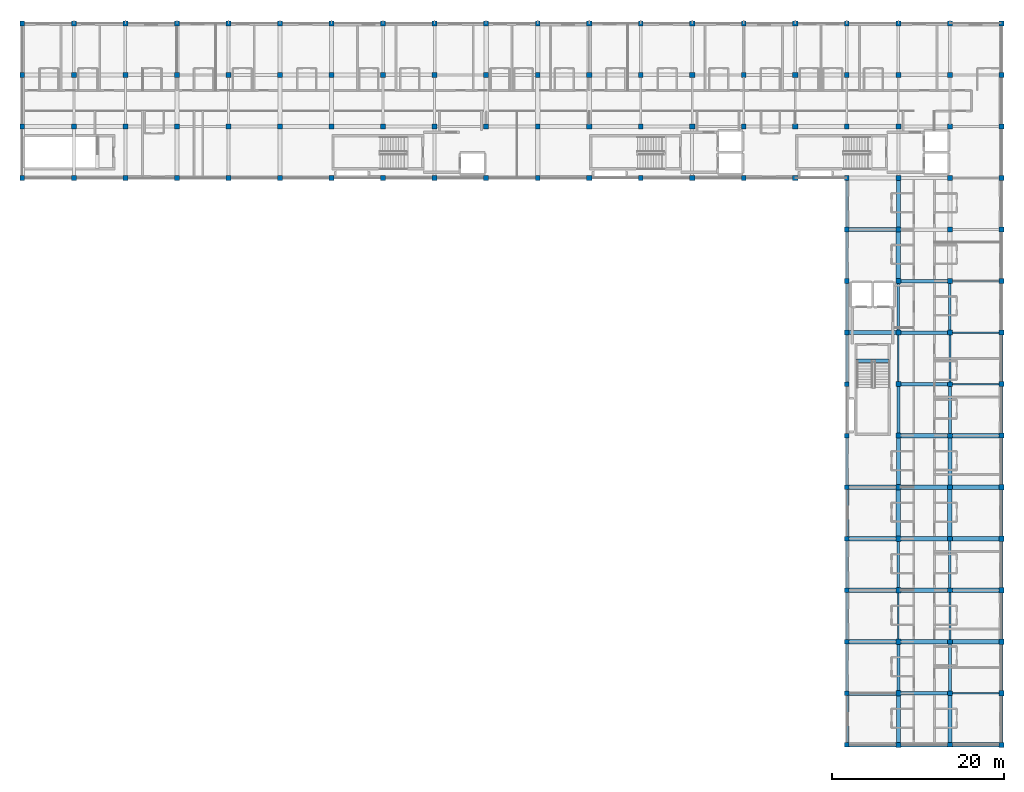
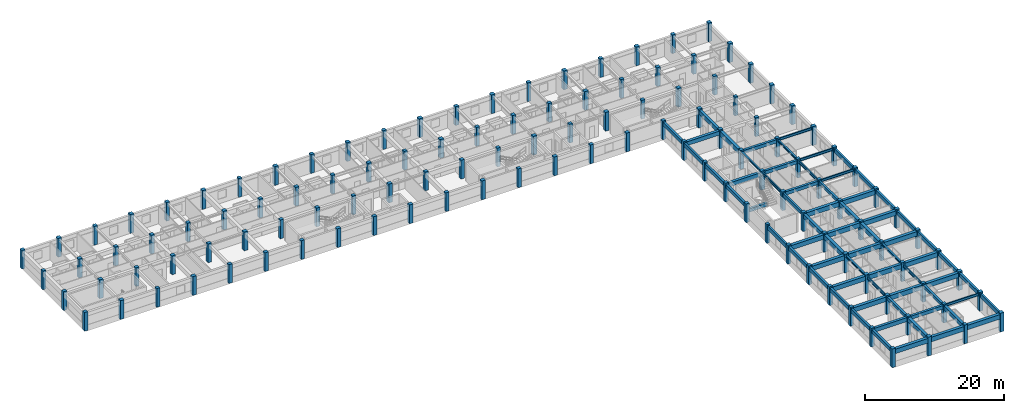
# One storey, part 1 of 21: 124 columns, 67 beams.
"""IFC4 building model written with IfcOpenShell, lengths in metres."""

from ifc_helpers import new_model, si_unit, direction, frame, origin, origin_2d, place, context, subcontext, project, spatial, rectangle, i_section, extrude, material, material_profile, profile_set, type_object, element, save


model = new_model("IFC4")

# Units and contexts
model_context = context("Model", 3, precision=1e-05, world=origin(), true_north=direction((0.0, 1.0)))
body_context = subcontext(model_context, "Body", "Model", "MODEL_VIEW")
ifc_project = project(units=[si_unit("LENGTHUNIT", "METRE"), si_unit("AREAUNIT", "SQUARE_METRE"), si_unit("VOLUMEUNIT", "CUBIC_METRE"), si_unit("PLANEANGLEUNIT", "RADIAN"), si_unit("MASSUNIT", "GRAM", prefix="KILO"), si_unit("THERMODYNAMICTEMPERATUREUNIT", "KELVIN"), si_unit("POWERUNIT", "WATT")], contexts=[model_context])

# Site, building, storey
site_placement = place(None, origin())
site = spatial("IfcSite", under=ifc_project, at=site_placement, CompositionType="ELEMENT")
building_placement = place(site_placement, origin())
building = spatial("IfcBuilding", under=site, at=building_placement, Name="Phaisarnlok Congress Hotel", CompositionType="ELEMENT")
storey_placement = place(building_placement, frame((0.0, 0.0, 34.800048828125)))
storey = spatial("IfcBuildingStorey", under=building, at=storey_placement, Name="L08", CompositionType="ELEMENT", Elevation=34.800048828125)

# Columns
ifc_material_1 = material(Name="Concrete C50/60", Category="concrete")
ifc_material_profile_1 = material_profile(ifc_material_1, rectangle(XDim=0.550048828125, YDim=0.550048828125, at=origin_2d()), Name="RC 550x550")
ifc_profile_set_1 = profile_set([ifc_material_profile_1], Name="Concrete C50/60")
column_type_1 = type_object("IfcColumnType", Name="COL-RC-550", PredefinedType="COLUMN", material=ifc_profile_set_1)
for number, where, z_axis, x_axis, name in (
    (1, (66.0, 108.0, 0.0), (0.0, 0.0, 1.0), (1.0, 0.0, 0.0), "Column C-02 (L08)"),
    (2, (66.0, 114.0, 0.0), (0.0, 0.0, 1.0), (1.0, 0.0, 0.0), "Column C-02 (L08)"),
    (3, (66.0, 120.0, 0.0), (0.0, 0.0, 1.0), (1.0, 0.0, 0.0), "Column C-02 (L08)"),
    (4, (78.0, 108.0, 0.0), (0.0, 0.0, 1.0), (1.0, 0.0, 0.0), "Column C-02 (L08)"),
    (5, (78.0, 114.0, 0.0), (0.0, 0.0, 1.0), (1.0, 0.0, 0.0), "Column C-02 (L08)"),
    (6, (78.0, 120.0, 0.0), (0.0, 0.0, 1.0), (1.0, 0.0, 0.0), "Column C-02 (L08)"),
    (7, (90.0, 108.0, 0.0), (0.0, 0.0, 1.0), (1.0, 0.0, 0.0), "Column C-02 (L08)"),
    (8, (90.0, 114.0, 0.0), (0.0, 0.0, 1.0), (1.0, 0.0, 0.0), "Column C-02 (L08)"),
    (9, (90.0, 120.0, 0.0), (0.0, 0.0, 1.0), (1.0, 0.0, 0.0), "Column C-02 (L08)"),
    (10, (102.0, 108.0, 0.0), (0.0, 0.0, 1.0), (1.0, 0.0, 0.0), "Column C-02 (L08)"),
    (11, (102.0, 114.0, 0.0), (0.0, 0.0, 1.0), (1.0, 0.0, 0.0), "Column C-02 (L08)"),
    (12, (102.0, 120.0, 0.0), (0.0, 0.0, 1.0), (1.0, 0.0, 0.0), "Column C-02 (L08)"),
    (13, (114.0, 108.0, 0.0), (0.0, 0.0, 1.0), (1.0, 0.0, 0.0), "Column C-02 (L08)"),
    (14, (114.0, 114.0, 0.0), (0.0, 0.0, 1.0), (1.0, 0.0, 0.0), "Column C-02 (L08)"),
    (15, (114.0, 120.0, 0.0), (0.0, 0.0, 1.0), (1.0, 0.0, 0.0), "Column C-02 (L08)"),
    (16, (126.0, 108.0, 0.0), (0.0, 0.0, 1.0), (1.0, 0.0, 0.0), "Column C-02 (L08)"),
    (17, (126.0, 114.0, 0.0), (0.0, 0.0, 1.0), (1.0, 0.0, 0.0), "Column C-02 (L08)"),
    (18, (126.0, 120.0, 0.0), (0.0, 0.0, 1.0), (1.0, 0.0, 0.0), "Column C-02 (L08)"),
    (19, (138.0, 108.0, 0.0), (0.0, 0.0, 1.0), (1.0, 0.0, 0.0), "Column C-02 (L08)"),
    (20, (138.0, 114.0, 0.0), (0.0, 0.0, 1.0), (1.0, 0.0, 0.0), "Column C-02 (L08)"),
    (21, (138.0, 120.0, 0.0), (0.0, 0.0, 1.0), (1.0, 0.0, 0.0), "Column C-02 (L08)"),
    (22, (150.0, 108.0, 0.0), (0.0, 0.0, 1.0), (1.0, 0.0, 0.0), "Column C-02 (L08)"),
    (23, (150.0, 114.0, 0.0), (0.0, 0.0, 1.0), (1.0, 0.0, 0.0), "Column C-02 (L08)"),
    (24, (150.0, 120.0, 0.0), (0.0, 0.0, 1.0), (1.0, 0.0, 0.0), "Column C-02 (L08)"),
    (25, (162.0, 42.0, 0.0), (0.0, 0.0, 1.0), (1.0, 0.0, 0.0), "Column C-02 (L08)"),
    (26, (162.0, 48.0, 0.0), (0.0, 0.0, 1.0), (1.0, 0.0, 0.0), "Column C-02 (L08)"),
    (27, (162.0, 54.0, 0.0), (0.0, 0.0, 1.0), (1.0, 0.0, 0.0), "Column C-02 (L08)"),
    (28, (162.0, 60.0, 0.0), (0.0, 0.0, 1.0), (1.0, 0.0, 0.0), "Column C-02 (L08)"),
    (29, (162.0, 66.0, 0.0), (0.0, 0.0, 1.0), (1.0, 0.0, 0.0), "Column C-02 (L08)"),
    (30, (162.0, 72.0, 0.0), (0.0, 0.0, 1.0), (1.0, 0.0, 0.0), "Column C-02 (L08)"),
    (31, (162.0, 78.0, 0.0), (0.0, 0.0, 1.0), (1.0, 0.0, 0.0), "Column C-02 (L08)"),
    (32, (162.0, 84.0, 0.0), (0.0, 0.0, 1.0), (1.0, 0.0, 0.0), "Column C-02 (L08)"),
    (33, (162.0, 90.0, 0.0), (0.0, 0.0, 1.0), (1.0, 0.0, 0.0), "Column C-02 (L08)"),
    (34, (162.0, 96.0, 0.0), (0.0, 0.0, 1.0), (1.0, 0.0, 0.0), "Column C-02 (L08)"),
    (35, (162.0, 102.0, 0.0), (0.0, 0.0, 1.0), (1.0, 0.0, 0.0), "Column C-02 (L08)"),
    (36, (162.0, 108.0, 0.0), (0.0, 0.0, 1.0), (1.0, 0.0, 0.0), "Column C-02 (L08)"),
    (37, (162.0, 114.0, 0.0), (0.0, 0.0, 1.0), (1.0, 0.0, 0.0), "Column C-02 (L08)"),
    (38, (162.0, 120.0, 0.0), (0.0, 0.0, 1.0), (1.0, 0.0, 0.0), "Column C-02 (L08)"),
    (39, (174.0, 42.0, 0.0), (0.0, 0.0, 1.0), (1.0, 0.0, 0.0), "Column C-02 (L08)"),
    (40, (174.0, 48.0, 0.0), (0.0, 0.0, 1.0), (1.0, 0.0, 0.0), "Column C-02 (L08)"),
    (41, (174.0, 54.0, 0.0), (0.0, 0.0, 1.0), (1.0, 0.0, 0.0), "Column C-02 (L08)"),
    (42, (174.0, 60.0, 0.0), (0.0, 0.0, 1.0), (1.0, 0.0, 0.0), "Column C-02 (L08)"),
    (43, (174.0, 66.0, 0.0), (0.0, 0.0, 1.0), (1.0, 0.0, 0.0), "Column C-02 (L08)"),
    (44, (174.0, 72.0, 0.0), (0.0, 0.0, 1.0), (1.0, 0.0, 0.0), "Column C-02 (L08)"),
    (45, (174.0, 78.0, 0.0), (0.0, 0.0, 1.0), (1.0, 0.0, 0.0), "Column C-02 (L08)"),
    (46, (174.0, 84.0, 0.0), (0.0, 0.0, 1.0), (1.0, 0.0, 0.0), "Column C-02 (L08)"),
    (47, (174.0, 90.0, 0.0), (0.0, 0.0, 1.0), (1.0, 0.0, 0.0), "Column C-02 (L08)"),
    (48, (174.0, 96.0, 0.0), (0.0, 0.0, 1.0), (1.0, 0.0, 0.0), "Column C-02 (L08)"),
    (49, (174.0, 102.0, 0.0), (0.0, 0.0, 1.0), (1.0, 0.0, 0.0), "Column C-02 (L08)"),
    (50, (174.0, 108.0, 0.0), (0.0, 0.0, 1.0), (1.0, 0.0, 0.0), "Column C-02 (L08)"),
    (51, (174.0, 114.0, 0.0), (0.0, 0.0, 1.0), (1.0, 0.0, 0.0), "Column C-02 (L08)"),
    (52, (174.0, 120.0, 0.0), (0.0, 0.0, 1.0), (1.0, 0.0, 0.0), "Column C-02 (L08)"),
):
    element("IfcColumn", number, at=place(storey_placement, frame(where, z_axis=z_axis, x_axis=x_axis)), inside=storey, type_object=column_type_1, Name=name, PredefinedType="COLUMN", context=body_context, shape_type="SweptSolid", body=[
        extrude(rectangle(XDim=0.550048828125, YDim=0.550048828125, at=origin_2d()), origin(), (0.0, 0.0, 1.0), 3.300048828125),
    ])
ifc_material_profile_2 = material_profile(ifc_material_1, rectangle(XDim=0.550048828125, YDim=0.550048828125, at=origin_2d()), Name="RC 550x550")
ifc_profile_set_2 = profile_set([ifc_material_profile_2], Name="Concrete C50/60")
column_type_2 = type_object("IfcColumnType", Name="COL-RC-550-EXT", PredefinedType="COLUMN", material=ifc_profile_set_2)
for number, where, z_axis, x_axis, name in (
    (53, (66.0, 126.0, 0.0), (0.0, 0.0, 1.0), (1.0, 0.0, 0.0), "Column C-02E (L08)"),
    (54, (78.0, 126.0, 0.0), (0.0, 0.0, 1.0), (1.0, 0.0, 0.0), "Column C-02E (L08)"),
    (55, (90.0, 126.0, 0.0), (0.0, 0.0, 1.0), (1.0, 0.0, 0.0), "Column C-02E (L08)"),
    (56, (102.0, 126.0, 0.0), (0.0, 0.0, 1.0), (1.0, 0.0, 0.0), "Column C-02E (L08)"),
    (57, (114.0, 126.0, 0.0), (0.0, 0.0, 1.0), (1.0, 0.0, 0.0), "Column C-02E (L08)"),
    (58, (126.0, 126.0, 0.0), (0.0, 0.0, 1.0), (1.0, 0.0, 0.0), "Column C-02E (L08)"),
    (59, (138.0, 126.0, 0.0), (0.0, 0.0, 1.0), (1.0, 0.0, 0.0), "Column C-02E (L08)"),
    (60, (150.0, 126.0, 0.0), (0.0, 0.0, 1.0), (1.0, 0.0, 0.0), "Column C-02E (L08)"),
    (61, (162.0, 126.0, 0.0), (0.0, 0.0, 1.0), (1.0, 0.0, 0.0), "Column C-02E (L08)"),
    (62, (174.0, 126.0, 0.0), (0.0, 0.0, 1.0), (1.0, 0.0, 0.0), "Column C-02E (L08)"),
):
    element("IfcColumn", number, at=place(storey_placement, frame(where, z_axis=z_axis, x_axis=x_axis)), inside=storey, type_object=column_type_2, Name=name, PredefinedType="COLUMN", context=body_context, shape_type="SweptSolid", body=[
        extrude(rectangle(XDim=0.550048828125, YDim=0.550048828125, at=origin_2d()), origin(), (0.0, 0.0, 1.0), 3.300048828125),
    ])
ifc_material_profile_3 = material_profile(ifc_material_1, rectangle(XDim=0.60009765625, YDim=0.60009765625, at=origin_2d()), Name="RC 600x600")
ifc_profile_set_3 = profile_set([ifc_material_profile_3], Name="Concrete C50/60")
column_type_3 = type_object("IfcColumnType", Name="COL-RC-600", PredefinedType="COLUMN", material=ifc_profile_set_3)
for number, where, z_axis, x_axis, name in (
    (63, (72.0, 108.0, 0.0), (0.0, 0.0, 1.0), (1.0, 0.0, 0.0), "Column C-03 (L08)"),
    (64, (72.0, 114.0, 0.0), (0.0, 0.0, 1.0), (1.0, 0.0, 0.0), "Column C-03 (L08)"),
    (65, (72.0, 120.0, 0.0), (0.0, 0.0, 1.0), (1.0, 0.0, 0.0), "Column C-03 (L08)"),
    (66, (84.0, 108.0, 0.0), (0.0, 0.0, 1.0), (1.0, 0.0, 0.0), "Column C-03 (L08)"),
    (67, (84.0, 114.0, 0.0), (0.0, 0.0, 1.0), (1.0, 0.0, 0.0), "Column C-03 (L08)"),
    (68, (84.0, 120.0, 0.0), (0.0, 0.0, 1.0), (1.0, 0.0, 0.0), "Column C-03 (L08)"),
    (69, (96.0, 108.0, 0.0), (0.0, 0.0, 1.0), (1.0, 0.0, 0.0), "Column C-03 (L08)"),
    (70, (96.0, 114.0, 0.0), (0.0, 0.0, 1.0), (1.0, 0.0, 0.0), "Column C-03 (L08)"),
    (71, (96.0, 120.0, 0.0), (0.0, 0.0, 1.0), (1.0, 0.0, 0.0), "Column C-03 (L08)"),
    (72, (108.0, 108.0, 0.0), (0.0, 0.0, 1.0), (1.0, 0.0, 0.0), "Column C-03 (L08)"),
    (73, (108.0, 114.0, 0.0), (0.0, 0.0, 1.0), (1.0, 0.0, 0.0), "Column C-03 (L08)"),
    (74, (108.0, 120.0, 0.0), (0.0, 0.0, 1.0), (1.0, 0.0, 0.0), "Column C-03 (L08)"),
    (75, (120.0, 108.0, 0.0), (0.0, 0.0, 1.0), (1.0, 0.0, 0.0), "Column C-03 (L08)"),
    (76, (120.0, 114.0, 0.0), (0.0, 0.0, 1.0), (1.0, 0.0, 0.0), "Column C-03 (L08)"),
    (77, (120.0, 120.0, 0.0), (0.0, 0.0, 1.0), (1.0, 0.0, 0.0), "Column C-03 (L08)"),
    (78, (132.0, 108.0, 0.0), (0.0, 0.0, 1.0), (1.0, 0.0, 0.0), "Column C-03 (L08)"),
    (79, (132.0, 114.0, 0.0), (0.0, 0.0, 1.0), (1.0, 0.0, 0.0), "Column C-03 (L08)"),
    (80, (132.0, 120.0, 0.0), (0.0, 0.0, 1.0), (1.0, 0.0, 0.0), "Column C-03 (L08)"),
    (81, (144.0, 108.0, 0.0), (0.0, 0.0, 1.0), (1.0, 0.0, 0.0), "Column C-03 (L08)"),
    (82, (144.0, 114.0, 0.0), (0.0, 0.0, 1.0), (1.0, 0.0, 0.0), "Column C-03 (L08)"),
    (83, (144.0, 120.0, 0.0), (0.0, 0.0, 1.0), (1.0, 0.0, 0.0), "Column C-03 (L08)"),
    (84, (156.0, 108.0, 0.0), (0.0, 0.0, 1.0), (1.0, 0.0, 0.0), "Column C-03 (L08)"),
    (85, (156.0, 114.0, 0.0), (0.0, 0.0, 1.0), (1.0, 0.0, 0.0), "Column C-03 (L08)"),
    (86, (156.0, 120.0, 0.0), (0.0, 0.0, 1.0), (1.0, 0.0, 0.0), "Column C-03 (L08)"),
    (87, (168.0, 42.0, 0.0), (0.0, 0.0, 1.0), (1.0, 0.0, 0.0), "Column C-03 (L08)"),
    (88, (168.0, 48.0, 0.0), (0.0, 0.0, 1.0), (1.0, 0.0, 0.0), "Column C-03 (L08)"),
    (89, (168.0, 54.0, 0.0), (0.0, 0.0, 1.0), (1.0, 0.0, 0.0), "Column C-03 (L08)"),
    (90, (168.0, 60.0, 0.0), (0.0, 0.0, 1.0), (1.0, 0.0, 0.0), "Column C-03 (L08)"),
    (91, (168.0, 66.0, 0.0), (0.0, 0.0, 1.0), (1.0, 0.0, 0.0), "Column C-03 (L08)"),
    (92, (168.0, 72.0, 0.0), (0.0, 0.0, 1.0), (1.0, 0.0, 0.0), "Column C-03 (L08)"),
    (93, (168.0, 78.0, 0.0), (0.0, 0.0, 1.0), (1.0, 0.0, 0.0), "Column C-03 (L08)"),
    (94, (168.0, 84.0, 0.0), (0.0, 0.0, 1.0), (1.0, 0.0, 0.0), "Column C-03 (L08)"),
    (95, (168.0, 90.0, 0.0), (0.0, 0.0, 1.0), (1.0, 0.0, 0.0), "Column C-03 (L08)"),
    (96, (168.0, 96.0, 0.0), (0.0, 0.0, 1.0), (1.0, 0.0, 0.0), "Column C-03 (L08)"),
    (97, (168.0, 102.0, 0.0), (0.0, 0.0, 1.0), (1.0, 0.0, 0.0), "Column C-03 (L08)"),
    (98, (168.0, 108.0, 0.0), (0.0, 0.0, 1.0), (1.0, 0.0, 0.0), "Column C-03 (L08)"),
    (99, (168.0, 114.0, 0.0), (0.0, 0.0, 1.0), (1.0, 0.0, 0.0), "Column C-03 (L08)"),
    (100, (168.0, 120.0, 0.0), (0.0, 0.0, 1.0), (1.0, 0.0, 0.0), "Column C-03 (L08)"),
):
    element("IfcColumn", number, at=place(storey_placement, frame(where, z_axis=z_axis, x_axis=x_axis)), inside=storey, type_object=column_type_3, Name=name, PredefinedType="COLUMN", context=body_context, shape_type="SweptSolid", body=[
        extrude(rectangle(XDim=0.60009765625, YDim=0.60009765625, at=origin_2d()), origin(), (0.0, 0.0, 1.0), 3.300048828125),
    ])
ifc_material_profile_4 = material_profile(ifc_material_1, rectangle(XDim=0.60009765625, YDim=0.60009765625, at=origin_2d()), Name="RC 600x600")
ifc_profile_set_4 = profile_set([ifc_material_profile_4], Name="Concrete C50/60")
column_type_4 = type_object("IfcColumnType", Name="COL-RC-600-EXT", PredefinedType="COLUMN", material=ifc_profile_set_4)
for number, where, z_axis, x_axis, name in (
    (101, (72.0, 126.0, 0.0), (0.0, 0.0, 1.0), (1.0, 0.0, 0.0), "Column C-03E (L08)"),
    (102, (84.0, 126.0, 0.0), (0.0, 0.0, 1.0), (1.0, 0.0, 0.0), "Column C-03E (L08)"),
    (103, (96.0, 126.0, 0.0), (0.0, 0.0, 1.0), (1.0, 0.0, 0.0), "Column C-03E (L08)"),
    (104, (108.0, 126.0, 0.0), (0.0, 0.0, 1.0), (1.0, 0.0, 0.0), "Column C-03E (L08)"),
    (105, (120.0, 126.0, 0.0), (0.0, 0.0, 1.0), (1.0, 0.0, 0.0), "Column C-03E (L08)"),
    (106, (132.0, 126.0, 0.0), (0.0, 0.0, 1.0), (1.0, 0.0, 0.0), "Column C-03E (L08)"),
    (107, (144.0, 126.0, 0.0), (0.0, 0.0, 1.0), (1.0, 0.0, 0.0), "Column C-03E (L08)"),
    (108, (156.0, 126.0, 0.0), (0.0, 0.0, 1.0), (1.0, 0.0, 0.0), "Column C-03E (L08)"),
    (109, (168.0, 126.0, 0.0), (0.0, 0.0, 1.0), (1.0, 0.0, 0.0), "Column C-03E (L08)"),
    (110, (180.0, 42.0, 0.0), (0.0, 0.0, 1.0), (1.0, 0.0, 0.0), "Column C-03E (L08)"),
    (111, (180.0, 48.0, 0.0), (0.0, 0.0, 1.0), (1.0, 0.0, 0.0), "Column C-03E (L08)"),
    (112, (180.0, 54.0, 0.0), (0.0, 0.0, 1.0), (1.0, 0.0, 0.0), "Column C-03E (L08)"),
    (113, (180.0, 60.0, 0.0), (0.0, 0.0, 1.0), (1.0, 0.0, 0.0), "Column C-03E (L08)"),
    (114, (180.0, 66.0, 0.0), (0.0, 0.0, 1.0), (1.0, 0.0, 0.0), "Column C-03E (L08)"),
    (115, (180.0, 72.0, 0.0), (0.0, 0.0, 1.0), (1.0, 0.0, 0.0), "Column C-03E (L08)"),
    (116, (180.0, 78.0, 0.0), (0.0, 0.0, 1.0), (1.0, 0.0, 0.0), "Column C-03E (L08)"),
    (117, (180.0, 84.0, 0.0), (0.0, 0.0, 1.0), (1.0, 0.0, 0.0), "Column C-03E (L08)"),
    (118, (180.0, 90.0, 0.0), (0.0, 0.0, 1.0), (1.0, 0.0, 0.0), "Column C-03E (L08)"),
    (119, (180.0, 96.0, 0.0), (0.0, 0.0, 1.0), (1.0, 0.0, 0.0), "Column C-03E (L08)"),
    (120, (180.0, 102.0, 0.0), (0.0, 0.0, 1.0), (1.0, 0.0, 0.0), "Column C-03E (L08)"),
    (121, (180.0, 108.0, 0.0), (0.0, 0.0, 1.0), (1.0, 0.0, 0.0), "Column C-03E (L08)"),
    (122, (180.0, 114.0, 0.0), (0.0, 0.0, 1.0), (1.0, 0.0, 0.0), "Column C-03E (L08)"),
    (123, (180.0, 120.0, 0.0), (0.0, 0.0, 1.0), (1.0, 0.0, 0.0), "Column C-03E (L08)"),
    (124, (180.0, 126.0, 0.0), (0.0, 0.0, 1.0), (1.0, 0.0, 0.0), "Column C-03E (L08)"),
):
    element("IfcColumn", number, at=place(storey_placement, frame(where, z_axis=z_axis, x_axis=x_axis)), inside=storey, type_object=column_type_4, Name=name, PredefinedType="COLUMN", context=body_context, shape_type="SweptSolid", body=[
        extrude(rectangle(XDim=0.60009765625, YDim=0.60009765625, at=origin_2d()), origin(), (0.0, 0.0, 1.0), 3.300048828125),
    ])

# Beams
ifc_material_2 = material(Name="Concrete C40/50", Category="concrete")
ifc_material_profile_5 = material_profile(ifc_material_2, rectangle(XDim=0.35009765625, YDim=0.550048828125, at=origin_2d()), Name="RC 350x550")
ifc_profile_set_5 = profile_set([ifc_material_profile_5], Name="Concrete C40/50")
beam_type_1 = type_object("IfcBeamType", Name="BM-RC-350x550", PredefinedType="BEAM", material=ifc_profile_set_5)
for number, where, z_axis, x_axis, name in (
    (125, (168.0, 48.294921875, 2.794921875), (0.0, 1.0, 0.0), (-1.0, 0.0, 0.0), "Beam B-01"),
    (126, (168.0, 78.294921875, 2.794921875), (0.0, 1.0, 0.0), (-1.0, 0.0, 0.0), "Beam B-01"),
):
    element("IfcBeam", number, at=place(storey_placement, frame(where, z_axis=z_axis, x_axis=x_axis)), inside=storey, type_object=beam_type_1, Name=name, PredefinedType="BEAM", context=body_context, shape_type="SweptSolid", body=[
        extrude(rectangle(XDim=0.35009765625, YDim=0.550048828125, at=origin_2d()), origin(), (0.0, 0.0, 1.0), 5.41015625),
    ])
for number, where, z_axis, x_axis, name in (
    (127, (174.0, 48.27001953125, 2.794921875), (0.0, 1.0, 0.0), (-1.0, 0.0, 0.0), "Beam B-01"),
    (128, (174.0, 78.27001953125, 2.794921875), (0.0, 1.0, 0.0), (-1.0, 0.0, 0.0), "Beam B-01"),
):
    element("IfcBeam", number, at=place(storey_placement, frame(where, z_axis=z_axis, x_axis=x_axis)), inside=storey, type_object=beam_type_1, Name=name, PredefinedType="BEAM", context=body_context, shape_type="SweptSolid", body=[
        extrude(rectangle(XDim=0.35009765625, YDim=0.550048828125, at=origin_2d()), origin(), (0.0, 0.0, 1.0), 5.4599609375),
    ])
ifc_material_profile_6 = material_profile(ifc_material_2, rectangle(XDim=0.39990234375, YDim=0.60009765625, at=origin_2d()), Name="RC 400x600")
ifc_profile_set_6 = profile_set([ifc_material_profile_6], Name="Concrete C40/50")
beam_type_2 = type_object("IfcBeamType", Name="BM-RC-400x600", PredefinedType="BEAM", material=ifc_profile_set_6)
for number, where, z_axis, x_axis, name in (
    (129, (168.294921875, 48.0, 2.77001953125), (1.0, 0.0, 0.0), (0.0, 1.0, 0.0), "Beam B-02"),
    (130, (168.294921875, 84.0, 2.77001953125), (1.0, 0.0, 0.0), (0.0, 1.0, 0.0), "Beam B-02"),
    (131, (168.294921875, 90.0, 2.77001953125), (1.0, 0.0, 0.0), (0.0, 1.0, 0.0), "Beam B-02"),
    (132, (168.294921875, 96.0, 2.77001953125), (1.0, 0.0, 0.0), (0.0, 1.0, 0.0), "Beam B-02"),
):
    element("IfcBeam", number, at=place(storey_placement, frame(where, z_axis=z_axis, x_axis=x_axis)), inside=storey, type_object=beam_type_2, Name=name, PredefinedType="BEAM", context=body_context, shape_type="SweptSolid", body=[
        extrude(rectangle(XDim=0.39990234375, YDim=0.60009765625, at=origin_2d()), origin(), (0.0, 0.0, 1.0), 5.43505859375),
    ])
beam_1_placement = place(storey_placement, frame((163.080078125, 86.719970703125, -0.300048828125), z_axis=(1.0, 0.0, 0.0), x_axis=(0.0, 1.0, 0.0)))
element("IfcBeam", 133, at=beam_1_placement, inside=storey, type_object=beam_type_2, Name="Stair landing header beam B-02 (CORE-3 L08)", PredefinedType="BEAM", context=body_context, shape_type="SweptSolid", body=[
    extrude(rectangle(XDim=0.39990234375, YDim=0.60009765625, at=origin_2d()), origin(), (0.0, 0.0, 1.0), 3.83984375),
])
ifc_material_profile_7 = material_profile(ifc_material_2, rectangle(XDim=0.449951171875, YDim=0.699951171875, at=origin_2d()), Name="RC 450x700")
ifc_profile_set_7 = profile_set([ifc_material_profile_7], Name="Concrete C40/50")
beam_type_3 = type_object("IfcBeamType", Name="BM-RC-450x700", PredefinedType="BEAM", material=ifc_profile_set_7)
for number, where, z_axis, x_axis, name in (
    (134, (162.27001953125, 48.0, 2.719970703125), (1.0, 0.0, 0.0), (0.0, 1.0, 0.0), "Beam B-03"),
    (135, (162.27001953125, 90.0, 2.719970703125), (1.0, 0.0, 0.0), (0.0, 1.0, 0.0), "Beam B-03"),
    (136, (162.27001953125, 102.0, 2.719970703125), (1.0, 0.0, 0.0), (0.0, 1.0, 0.0), "Beam B-03"),
):
    element("IfcBeam", number, at=place(storey_placement, frame(where, z_axis=z_axis, x_axis=x_axis)), inside=storey, type_object=beam_type_3, Name=name, PredefinedType="BEAM", context=body_context, shape_type="SweptSolid", body=[
        extrude(rectangle(XDim=0.449951171875, YDim=0.699951171875, at=origin_2d()), origin(), (0.0, 0.0, 1.0), 5.43505859375),
    ])
for number, where, z_axis, x_axis, name in (
    (137, (168.0, 42.294921875, 2.719970703125), (0.0, 1.0, 0.0), (-1.0, 0.0, 0.0), "Beam B-03"),
    (138, (168.0, 72.294921875, 2.719970703125), (0.0, 1.0, 0.0), (-1.0, 0.0, 0.0), "Beam B-03"),
    (139, (168.0, 102.294921875, 2.719970703125), (0.0, 1.0, 0.0), (-1.0, 0.0, 0.0), "Beam B-03"),
):
    element("IfcBeam", number, at=place(storey_placement, frame(where, z_axis=z_axis, x_axis=x_axis)), inside=storey, type_object=beam_type_3, Name=name, PredefinedType="BEAM", context=body_context, shape_type="SweptSolid", body=[
        extrude(rectangle(XDim=0.449951171875, YDim=0.699951171875, at=origin_2d()), origin(), (0.0, 0.0, 1.0), 5.41015625),
    ])
for number, where, z_axis, x_axis, name in (
    (140, (174.0, 42.27001953125, 2.719970703125), (0.0, 1.0, 0.0), (-1.0, 0.0, 0.0), "Beam B-03"),
    (141, (174.0, 72.27001953125, 2.719970703125), (0.0, 1.0, 0.0), (-1.0, 0.0, 0.0), "Beam B-03"),
):
    element("IfcBeam", number, at=place(storey_placement, frame(where, z_axis=z_axis, x_axis=x_axis)), inside=storey, type_object=beam_type_3, Name=name, PredefinedType="BEAM", context=body_context, shape_type="SweptSolid", body=[
        extrude(rectangle(XDim=0.449951171875, YDim=0.699951171875, at=origin_2d()), origin(), (0.0, 0.0, 1.0), 5.4599609375),
    ])
ifc_material_profile_8 = material_profile(ifc_material_2, rectangle(XDim=0.5, YDim=0.800048828125, at=origin_2d()), Name="RC 500x800")
ifc_profile_set_8 = profile_set([ifc_material_profile_8], Name="Concrete C40/50")
beam_type_4 = type_object("IfcBeamType", Name="BM-RC-500x800", PredefinedType="BEAM", material=ifc_profile_set_8)
for number, where, z_axis, x_axis, name in (
    (142, (162.27001953125, 54.0, 2.669921875), (1.0, 0.0, 0.0), (0.0, 1.0, 0.0), "Beam B-04"),
    (143, (162.27001953125, 60.0, 2.669921875), (1.0, 0.0, 0.0), (0.0, 1.0, 0.0), "Beam B-04"),
    (144, (162.27001953125, 66.0, 2.669921875), (1.0, 0.0, 0.0), (0.0, 1.0, 0.0), "Beam B-04"),
    (145, (162.27001953125, 72.0, 2.669921875), (1.0, 0.0, 0.0), (0.0, 1.0, 0.0), "Beam B-04"),
    (146, (168.294921875, 54.0, 2.669921875), (1.0, 0.0, 0.0), (0.0, 1.0, 0.0), "Beam B-04"),
    (147, (168.294921875, 60.0, 2.669921875), (1.0, 0.0, 0.0), (0.0, 1.0, 0.0), "Beam B-04"),
    (148, (168.294921875, 66.0, 2.669921875), (1.0, 0.0, 0.0), (0.0, 1.0, 0.0), "Beam B-04"),
):
    element("IfcBeam", number, at=place(storey_placement, frame(where, z_axis=z_axis, x_axis=x_axis)), inside=storey, type_object=beam_type_4, Name=name, PredefinedType="BEAM", context=body_context, shape_type="SweptSolid", body=[
        extrude(rectangle(XDim=0.5, YDim=0.800048828125, at=origin_2d()), origin(), (0.0, 0.0, 1.0), 5.43505859375),
    ])
beam_2_placement = place(storey_placement, frame((168.0, 66.294921875, 2.669921875), z_axis=(0.0, 1.0, 0.0), x_axis=(-1.0, 0.0, 0.0)))
element("IfcBeam", 149, at=beam_2_placement, inside=storey, type_object=beam_type_4, Name="Beam B-04", PredefinedType="BEAM", context=body_context, shape_type="SweptSolid", body=[
    extrude(rectangle(XDim=0.5, YDim=0.800048828125, at=origin_2d()), origin(), (0.0, 0.0, 1.0), 5.41015625),
])
for number, where, z_axis, x_axis, name in (
    (150, (168.294921875, 72.0, 2.669921875), (1.0, 0.0, 0.0), (0.0, 1.0, 0.0), "Beam B-04"),
    (151, (168.294921875, 78.0, 2.669921875), (1.0, 0.0, 0.0), (0.0, 1.0, 0.0), "Beam B-04"),
):
    element("IfcBeam", number, at=place(storey_placement, frame(where, z_axis=z_axis, x_axis=x_axis)), inside=storey, type_object=beam_type_4, Name=name, PredefinedType="BEAM", context=body_context, shape_type="SweptSolid", body=[
        extrude(rectangle(XDim=0.5, YDim=0.800048828125, at=origin_2d()), origin(), (0.0, 0.0, 1.0), 5.43505859375),
    ])
beam_3_placement = place(storey_placement, frame((168.0, 96.294921875, 2.669921875), z_axis=(0.0, 1.0, 0.0), x_axis=(-1.0, 0.0, 0.0)))
element("IfcBeam", 152, at=beam_3_placement, inside=storey, type_object=beam_type_4, Name="Beam B-04", PredefinedType="BEAM", context=body_context, shape_type="SweptSolid", body=[
    extrude(rectangle(XDim=0.5, YDim=0.800048828125, at=origin_2d()), origin(), (0.0, 0.0, 1.0), 5.41015625),
])
for number, where, z_axis, x_axis, name in (
    (153, (174.27001953125, 54.0, 2.669921875), (1.0, 0.0, 0.0), (0.0, 1.0, 0.0), "Beam B-04"),
    (154, (174.27001953125, 60.0, 2.669921875), (1.0, 0.0, 0.0), (0.0, 1.0, 0.0), "Beam B-04"),
    (155, (174.27001953125, 66.0, 2.669921875), (1.0, 0.0, 0.0), (0.0, 1.0, 0.0), "Beam B-04"),
):
    element("IfcBeam", number, at=place(storey_placement, frame(where, z_axis=z_axis, x_axis=x_axis)), inside=storey, type_object=beam_type_4, Name=name, PredefinedType="BEAM", context=body_context, shape_type="SweptSolid", body=[
        extrude(rectangle(XDim=0.5, YDim=0.800048828125, at=origin_2d()), origin(), (0.0, 0.0, 1.0), 5.43505859375),
    ])
beam_4_placement = place(storey_placement, frame((174.0, 66.27001953125, 2.669921875), z_axis=(0.0, 1.0, 0.0), x_axis=(-1.0, 0.0, 0.0)))
element("IfcBeam", 156, at=beam_4_placement, inside=storey, type_object=beam_type_4, Name="Beam B-04", PredefinedType="BEAM", context=body_context, shape_type="SweptSolid", body=[
    extrude(rectangle(XDim=0.5, YDim=0.800048828125, at=origin_2d()), origin(), (0.0, 0.0, 1.0), 5.4599609375),
])
for number, where, z_axis, x_axis, name in (
    (157, (174.27001953125, 72.0, 2.669921875), (1.0, 0.0, 0.0), (0.0, 1.0, 0.0), "Beam B-04"),
    (158, (174.27001953125, 78.0, 2.669921875), (1.0, 0.0, 0.0), (0.0, 1.0, 0.0), "Beam B-04"),
):
    element("IfcBeam", number, at=place(storey_placement, frame(where, z_axis=z_axis, x_axis=x_axis)), inside=storey, type_object=beam_type_4, Name=name, PredefinedType="BEAM", context=body_context, shape_type="SweptSolid", body=[
        extrude(rectangle(XDim=0.5, YDim=0.800048828125, at=origin_2d()), origin(), (0.0, 0.0, 1.0), 5.43505859375),
    ])
ifc_material_3 = material(Name="Steel S355", Category="steel")
ifc_material_profile_9 = material_profile(ifc_material_3, i_section(OverallWidth=0.300048828125, OverallDepth=0.340087890625, WebThickness=0.011962890625, FlangeThickness=0.021484375, FilletRadius=0.027099609375, at=origin_2d()), Name="HEB 340")
ifc_profile_set_9 = profile_set([ifc_material_profile_9], Name="Steel S355")
beam_type_5 = type_object("IfcBeamType", Name="BM-STL-HEB340", PredefinedType="BEAM", material=ifc_profile_set_9)
for number, where, z_axis, x_axis, name in (
    (159, (168.0, 60.294921875, 2.89990234375), (0.0, 1.0, 0.0), (-1.0, 0.0, 0.0), "Beam SB-07"),
    (160, (168.0, 90.294921875, 2.89990234375), (0.0, 1.0, 0.0), (-1.0, 0.0, 0.0), "Beam SB-07"),
):
    element("IfcBeam", number, at=place(storey_placement, frame(where, z_axis=z_axis, x_axis=x_axis)), inside=storey, type_object=beam_type_5, Name=name, PredefinedType="BEAM", context=body_context, shape_type="SweptSolid", body=[
        extrude(i_section(OverallWidth=0.300048828125, OverallDepth=0.340087890625, WebThickness=0.011962890625, FlangeThickness=0.021484375, FilletRadius=0.027099609375, at=origin_2d()), origin(), (0.0, 0.0, 1.0), 5.41015625),
    ])
for number, where, z_axis, x_axis, name in (
    (161, (174.0, 60.27001953125, 2.89990234375), (0.0, 1.0, 0.0), (-1.0, 0.0, 0.0), "Beam SB-07"),
    (162, (174.0, 90.27001953125, 2.89990234375), (0.0, 1.0, 0.0), (-1.0, 0.0, 0.0), "Beam SB-07"),
):
    element("IfcBeam", number, at=place(storey_placement, frame(where, z_axis=z_axis, x_axis=x_axis)), inside=storey, type_object=beam_type_5, Name=name, PredefinedType="BEAM", context=body_context, shape_type="SweptSolid", body=[
        extrude(i_section(OverallWidth=0.300048828125, OverallDepth=0.340087890625, WebThickness=0.011962890625, FlangeThickness=0.021484375, FilletRadius=0.027099609375, at=origin_2d()), origin(), (0.0, 0.0, 1.0), 5.4599609375),
    ])
ifc_material_profile_10 = material_profile(ifc_material_3, i_section(OverallWidth=0.18994140625, OverallDepth=0.449951171875, WebThickness=0.009521484375, FlangeThickness=0.0146484375, FilletRadius=0.02099609375, at=origin_2d()), Name="IPE 450")
ifc_profile_set_10 = profile_set([ifc_material_profile_10], Name="Steel S355")
beam_type_6 = type_object("IfcBeamType", Name="BM-STL-IPE450", PredefinedType="BEAM", material=ifc_profile_set_10)
for number, where, z_axis, x_axis, name in (
    (163, (174.27001953125, 48.0, 2.844970703125), (1.0, 0.0, 0.0), (0.0, 1.0, 0.0), "Beam SB-01"),
    (164, (174.27001953125, 84.0, 2.844970703125), (1.0, 0.0, 0.0), (0.0, 1.0, 0.0), "Beam SB-01"),
    (165, (174.27001953125, 90.0, 2.844970703125), (1.0, 0.0, 0.0), (0.0, 1.0, 0.0), "Beam SB-01"),
    (166, (174.27001953125, 96.0, 2.844970703125), (1.0, 0.0, 0.0), (0.0, 1.0, 0.0), "Beam SB-01"),
):
    element("IfcBeam", number, at=place(storey_placement, frame(where, z_axis=z_axis, x_axis=x_axis)), inside=storey, type_object=beam_type_6, Name=name, PredefinedType="BEAM", context=body_context, shape_type="SweptSolid", body=[
        extrude(i_section(OverallWidth=0.18994140625, OverallDepth=0.449951171875, WebThickness=0.009521484375, FlangeThickness=0.0146484375, FilletRadius=0.02099609375, at=origin_2d()), origin(), (0.0, 0.0, 1.0), 5.43505859375),
    ])
ifc_material_profile_11 = material_profile(ifc_material_3, i_section(OverallWidth=0.199951171875, OverallDepth=0.5, WebThickness=0.01025390625, FlangeThickness=0.01611328125, FilletRadius=0.02099609375, at=origin_2d()), Name="IPE 500")
ifc_profile_set_11 = profile_set([ifc_material_profile_11], Name="Steel S355")
beam_type_7 = type_object("IfcBeamType", Name="BM-STL-IPE500", PredefinedType="BEAM", material=ifc_profile_set_11)
for number, where, z_axis, x_axis, name in (
    (167, (168.0, 54.294921875, 2.820068359375), (0.0, 1.0, 0.0), (-1.0, 0.0, 0.0), "Beam SB-02"),
    (168, (168.0, 84.294921875, 2.820068359375), (0.0, 1.0, 0.0), (-1.0, 0.0, 0.0), "Beam SB-02"),
):
    element("IfcBeam", number, at=place(storey_placement, frame(where, z_axis=z_axis, x_axis=x_axis)), inside=storey, type_object=beam_type_7, Name=name, PredefinedType="BEAM", context=body_context, shape_type="SweptSolid", body=[
        extrude(i_section(OverallWidth=0.199951171875, OverallDepth=0.5, WebThickness=0.01025390625, FlangeThickness=0.01611328125, FilletRadius=0.02099609375, at=origin_2d()), origin(), (0.0, 0.0, 1.0), 5.41015625),
    ])
for number, where, z_axis, x_axis, name in (
    (169, (174.0, 54.27001953125, 2.820068359375), (0.0, 1.0, 0.0), (-1.0, 0.0, 0.0), "Beam SB-02"),
    (170, (174.0, 84.27001953125, 2.820068359375), (0.0, 1.0, 0.0), (-1.0, 0.0, 0.0), "Beam SB-02"),
):
    element("IfcBeam", number, at=place(storey_placement, frame(where, z_axis=z_axis, x_axis=x_axis)), inside=storey, type_object=beam_type_7, Name=name, PredefinedType="BEAM", context=body_context, shape_type="SweptSolid", body=[
        extrude(i_section(OverallWidth=0.199951171875, OverallDepth=0.5, WebThickness=0.01025390625, FlangeThickness=0.01611328125, FilletRadius=0.02099609375, at=origin_2d()), origin(), (0.0, 0.0, 1.0), 5.4599609375),
    ])
ifc_material_profile_12 = material_profile(ifc_material_2, rectangle(XDim=0.35009765625, YDim=0.64990234375, at=origin_2d()), Name="RC 350x650")
ifc_profile_set_12 = profile_set([ifc_material_profile_12], Name="Concrete C40/50")
beam_type_8 = type_object("IfcBeamType", Name="SP-RC-350x650", PredefinedType="SPANDREL", material=ifc_profile_set_12)
for number, where, z_axis, x_axis, name in (
    (171, (162.0, 42.27001953125, 2.744873046875), (0.0, 1.0, 0.0), (-1.0, 0.0, 0.0), "Beam SP-01"),
    (172, (162.0, 48.27001953125, 2.744873046875), (0.0, 1.0, 0.0), (-1.0, 0.0, 0.0), "Beam SP-01"),
    (173, (162.0, 54.27001953125, 2.744873046875), (0.0, 1.0, 0.0), (-1.0, 0.0, 0.0), "Beam SP-01"),
    (174, (162.0, 60.27001953125, 2.744873046875), (0.0, 1.0, 0.0), (-1.0, 0.0, 0.0), "Beam SP-01"),
    (175, (162.0, 66.27001953125, 2.744873046875), (0.0, 1.0, 0.0), (-1.0, 0.0, 0.0), "Beam SP-01"),
    (176, (162.0, 72.27001953125, 2.744873046875), (0.0, 1.0, 0.0), (-1.0, 0.0, 0.0), "Beam SP-01"),
    (177, (162.0, 84.27001953125, 2.744873046875), (0.0, 1.0, 0.0), (-1.0, 0.0, 0.0), "Beam SP-01"),
    (178, (162.0, 90.27001953125, 2.744873046875), (0.0, 1.0, 0.0), (-1.0, 0.0, 0.0), "Beam SP-01"),
    (179, (162.0, 96.27001953125, 2.744873046875), (0.0, 1.0, 0.0), (-1.0, 0.0, 0.0), "Beam SP-01"),
    (180, (162.0, 102.27001953125, 2.744873046875), (0.0, 1.0, 0.0), (-1.0, 0.0, 0.0), "Beam SP-01"),
):
    element("IfcBeam", number, at=place(storey_placement, frame(where, z_axis=z_axis, x_axis=x_axis)), inside=storey, type_object=beam_type_8, Name=name, PredefinedType="SPANDREL", context=body_context, shape_type="SweptSolid", body=[
        extrude(rectangle(XDim=0.35009765625, YDim=0.64990234375, at=origin_2d()), origin(), (0.0, 0.0, 1.0), 5.4599609375),
    ])
for number, where, z_axis, x_axis, name in (
    (181, (180.0, 42.294921875, 2.744873046875), (0.0, 1.0, 0.0), (-1.0, 0.0, 0.0), "Beam SP-01"),
    (182, (180.0, 48.294921875, 2.744873046875), (0.0, 1.0, 0.0), (-1.0, 0.0, 0.0), "Beam SP-01"),
    (183, (180.0, 54.294921875, 2.744873046875), (0.0, 1.0, 0.0), (-1.0, 0.0, 0.0), "Beam SP-01"),
    (184, (180.0, 60.294921875, 2.744873046875), (0.0, 1.0, 0.0), (-1.0, 0.0, 0.0), "Beam SP-01"),
    (185, (180.0, 66.294921875, 2.744873046875), (0.0, 1.0, 0.0), (-1.0, 0.0, 0.0), "Beam SP-01"),
    (186, (180.0, 72.294921875, 2.744873046875), (0.0, 1.0, 0.0), (-1.0, 0.0, 0.0), "Beam SP-01"),
    (187, (180.0, 78.294921875, 2.744873046875), (0.0, 1.0, 0.0), (-1.0, 0.0, 0.0), "Beam SP-01"),
    (188, (180.0, 84.294921875, 2.744873046875), (0.0, 1.0, 0.0), (-1.0, 0.0, 0.0), "Beam SP-01"),
):
    element("IfcBeam", number, at=place(storey_placement, frame(where, z_axis=z_axis, x_axis=x_axis)), inside=storey, type_object=beam_type_8, Name=name, PredefinedType="SPANDREL", context=body_context, shape_type="SweptSolid", body=[
        extrude(rectangle(XDim=0.35009765625, YDim=0.64990234375, at=origin_2d()), origin(), (0.0, 0.0, 1.0), 5.41015625),
    ])
ifc_material_profile_13 = material_profile(ifc_material_2, rectangle(XDim=0.5, YDim=0.800048828125, at=origin_2d()), Name="RC 500x800")
ifc_profile_set_13 = profile_set([ifc_material_profile_13], Name="Concrete C40/50")
beam_type_9 = type_object("IfcBeamType", Name="SP-RC-500x800", PredefinedType="SPANDREL", material=ifc_profile_set_13)
for number, where, z_axis, x_axis, name in (
    (189, (162.27001953125, 42.0, 2.669921875), (1.0, 0.0, 0.0), (0.0, 1.0, 0.0), "Beam SP-04"),
    (190, (168.294921875, 42.0, 2.669921875), (1.0, 0.0, 0.0), (0.0, 1.0, 0.0), "Beam SP-04"),
    (191, (174.27001953125, 42.0, 2.669921875), (1.0, 0.0, 0.0), (0.0, 1.0, 0.0), "Beam SP-04"),
):
    element("IfcBeam", number, at=place(storey_placement, frame(where, z_axis=z_axis, x_axis=x_axis)), inside=storey, type_object=beam_type_9, Name=name, PredefinedType="SPANDREL", context=body_context, shape_type="SweptSolid", body=[
        extrude(rectangle(XDim=0.5, YDim=0.800048828125, at=origin_2d()), origin(), (0.0, 0.0, 1.0), 5.43505859375),
    ])

save(model, "model.ifc")
